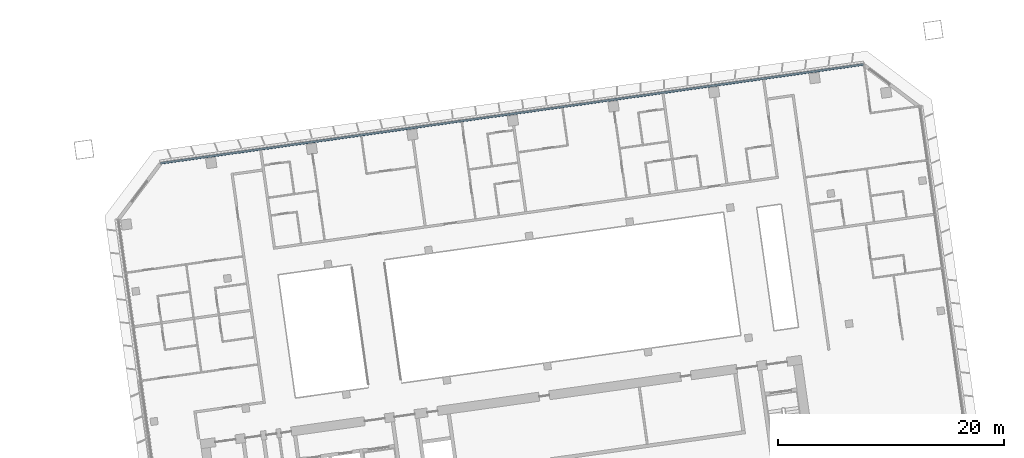
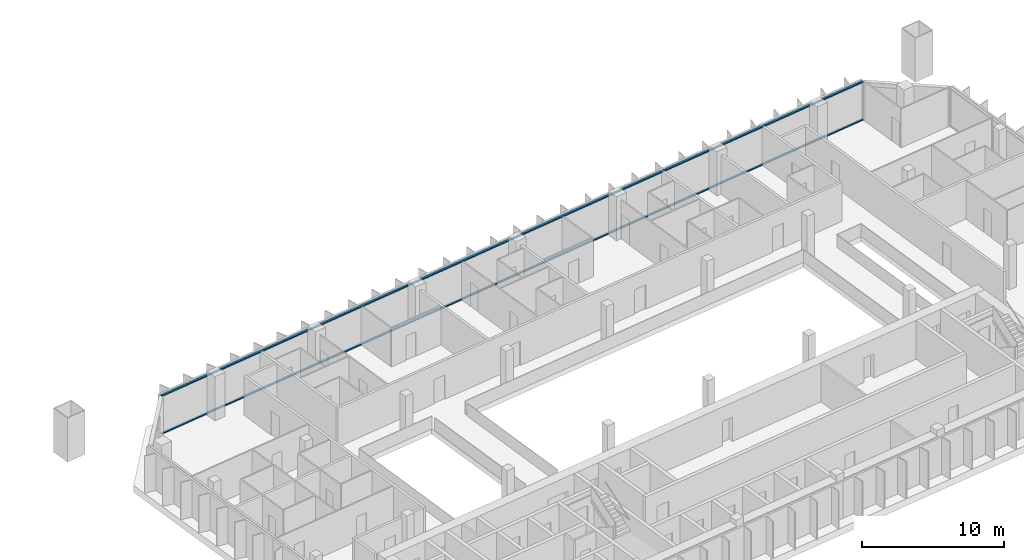
# One storey, part 9 of 27: 2 members, 1 element without a shape of its own.
"""IFC4 building model written with IfcOpenShell, lengths in metres."""

from ifc_helpers import new_model, si_unit, direction, frame, origin, origin_2d, place, context, subcontext, project, spatial, rectangle, extrude, material, material_profile, profile_set, type_object, element, aggregate, save


model = new_model("IFC4")

# Units and contexts
model_context = context("Model", 3, precision=1e-05, world=origin(), true_north=direction((0.0, 1.0)))
body_context = subcontext(model_context, "Body", "Model", "MODEL_VIEW")
ifc_project = project(units=[si_unit("LENGTHUNIT", "METRE"), si_unit("AREAUNIT", "SQUARE_METRE"), si_unit("VOLUMEUNIT", "CUBIC_METRE"), si_unit("PLANEANGLEUNIT", "RADIAN"), si_unit("MASSUNIT", "GRAM", prefix="KILO")], contexts=[model_context])

# Site, building, storey
site_placement = place(None, origin())
site = spatial("IfcSite", under=ifc_project, at=site_placement, CompositionType="ELEMENT")
building_placement = place(site_placement, origin())
building = spatial("IfcBuilding", under=site, at=building_placement, Name="Mirante Cascada Hotel Towers", CompositionType="ELEMENT")
storey_placement = place(building_placement, frame((0.0, 0.0, 117.7)))
storey = spatial("IfcBuildingStorey", under=building, at=storey_placement, Name="L26", CompositionType="ELEMENT", Elevation=117.7)

# Curtain wall, members
ifc_material_1 = material(Name="Aluminium mullion and transom frame with clear laminated glass", Category="aluminium")
curtain_wall_type = type_object("IfcCurtainWallType", Name="Ribbon curtain wall ECW1", PredefinedType="NOTDEFINED", material=ifc_material_1)
curtain_wall_placement = place(storey_placement, origin())
curtain_wall = element("IfcCurtainWall", 1, at=curtain_wall_placement, inside=storey, type_object=curtain_wall_type, Name="Front ribbon wall T2 L26", PredefinedType="NOTDEFINED")
ifc_material_2 = material(Name="Anodised aluminium extrusion", Category="aluminium")
ifc_material_profile = material_profile(ifc_material_2, rectangle(XDim=0.16, YDim=0.1, at=origin_2d()), Name="ECW1 TRANSOM 100x160")
ifc_profile_set = profile_set([ifc_material_profile], Name="Anodised aluminium extrusion")
member_type = type_object("IfcMemberType", Name="ECW1 transom 100x160", PredefinedType="USERDEFINED", material=ifc_profile_set)
member_1_placement = place(storey_placement, frame((94.1582, 26.0521, 0.05), z_axis=(-0.9902681, -0.1391728, 0.0), x_axis=(0.1391728, -0.9902681, 0.0)))
member_1 = element("IfcMember", 2, at=member_1_placement, type_object=member_type, Name="ECW1 sill transom", ObjectType="TRANSOM", PredefinedType="USERDEFINED", context=body_context, shape_type="SweptSolid", body=[
    extrude(rectangle(XDim=0.16, YDim=0.1, at=origin_2d()), origin(), (0.0, 0.0, 1.0), 62.8758),
])
member_2_placement = place(storey_placement, frame((94.1582, 26.0521, 3.3), z_axis=(-0.9902681, -0.1391728, 0.0), x_axis=(0.1391728, -0.9902681, 0.0)))
member_2 = element("IfcMember", 3, at=member_2_placement, type_object=member_type, Name="ECW1 head transom", ObjectType="TRANSOM", PredefinedType="USERDEFINED", context=body_context, shape_type="SweptSolid", body=[
    extrude(rectangle(XDim=0.16, YDim=0.1, at=origin_2d()), origin(), (0.0, 0.0, 1.0), 62.8758),
])
aggregate(curtain_wall, [member_1, member_2])

save(model, "model.ifc")
